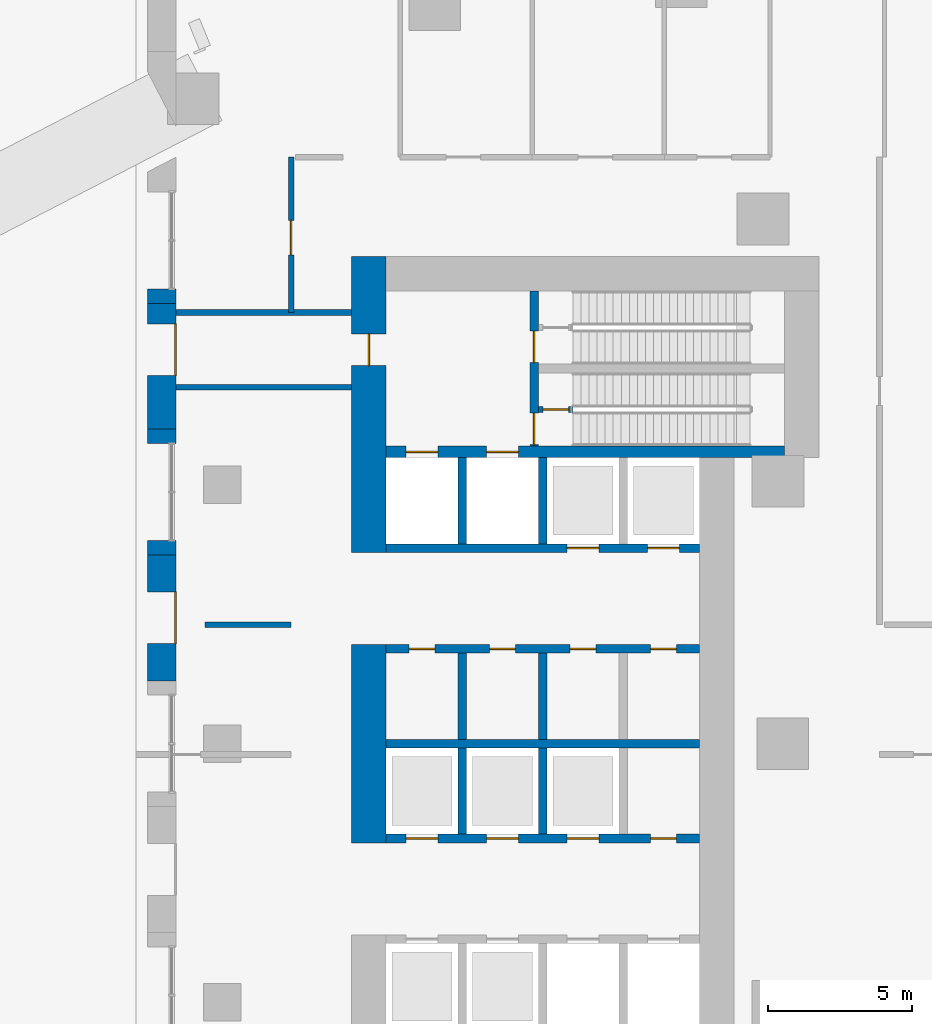
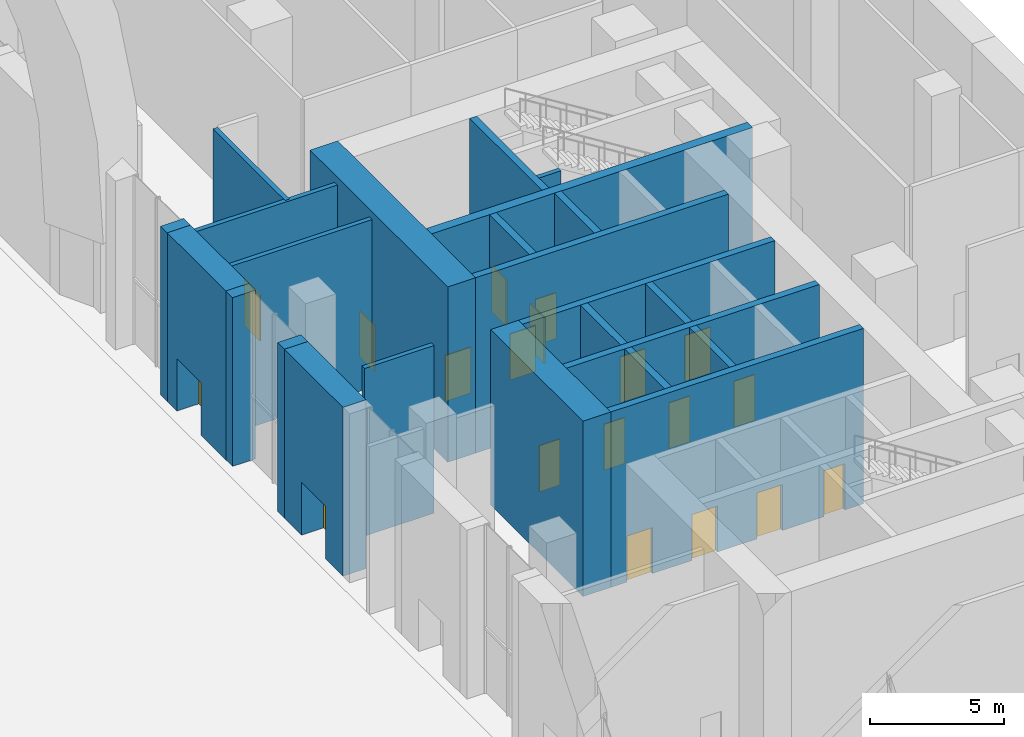
# One storey, part 11 of 22: 24 walls, 19 doors, 19 openings.
"""IFC4 building model written with IfcOpenShell, lengths in metres."""

from ifc_helpers import new_model, si_unit, direction, frame, frame_2d, origin, place, context, subcontext, project, spatial, polyline, rectangle, outline, extrude, material, layer, layer_set, type_object, element, fill, save


model = new_model("IFC4")

# Units and contexts
model_context = context("Model", 3, precision=1e-05, world=origin(), true_north=direction((0.0, 1.0)))
body_context = subcontext(model_context, "Body", "Model", "MODEL_VIEW")
ifc_project = project(units=[si_unit("LENGTHUNIT", "METRE"), si_unit("AREAUNIT", "SQUARE_METRE"), si_unit("VOLUMEUNIT", "CUBIC_METRE"), si_unit("PLANEANGLEUNIT", "RADIAN"), si_unit("MASSUNIT", "GRAM", prefix="KILO")], contexts=[model_context])

# Site, building, storey
site_placement = place(None, origin())
site = spatial("IfcSite", under=ifc_project, at=site_placement, CompositionType="ELEMENT")
building_placement = place(site_placement, origin())
building = spatial("IfcBuilding", under=site, at=building_placement, Name="Ostrand Prow Hotel Tower", CompositionType="ELEMENT")
storey_placement = place(building_placement, origin())
storey = spatial("IfcBuildingStorey", under=building, at=storey_placement, Name="L00", CompositionType="ELEMENT", Elevation=0.0)

# Wall, opening, door
ifc_material_1 = material(Name="Concrete C80/95", Category="concrete")
ifc_layer_1 = layer(ifc_material_1, 1.199951171875)
ifc_layer_set_1 = layer_set([ifc_layer_1], Name="Concrete C80/95")
wall_type_1 = type_object("IfcWallType", Name="Core wall 1200 C80/95", PredefinedType="SHEAR", material=ifc_layer_set_1)
wall_1_placement = place(storey_placement, frame((50.10009765625, 6.64990234375, 0.0), z_axis=(0.0, 0.0, 1.0), x_axis=(0.0, 1.0, 0.0)))
wall_1 = element("IfcWall", 1, at=wall_1_placement, inside=storey, type_object=wall_type_1, Name="Core wall CW-W-N", PredefinedType="SHEAR", context=body_context, shape_type="SweptSolid", body=[
    extrude(rectangle(XDim=10.300048828125, YDim=1.199951171875, at=frame_2d((5.14990234375, 0.0))), origin(), (0.0, 0.0, 1.0), 8.0),
])
opening_1_placement = place(wall_1_placement, frame((6.5, 0.0, 0.0)))
opening_1 = element("IfcOpeningElement", 2, at=opening_1_placement, cuts=wall_1, Name="Opening FD1", PredefinedType="OPENING", context=body_context, shape_type="SweptSolid", body=[
    extrude(rectangle(XDim=1.10009765625, YDim=2.10009765625, at=frame_2d((0.550048828125, 1.050048828125))), frame((0.0, 0.60986328125, 0.0), z_axis=(0.0, -1.0, 0.0), x_axis=(1.0, 0.0, 0.0)), (0.0, 0.0, 1.0), 1.219970703125),
])
ifc_material_2 = material(Name="Steel fire door", Category="steel")
door_type_1 = type_object("IfcDoorType", Name="Fire door 1100 EI120", OperationType="SINGLE_SWING_RIGHT", PredefinedType="DOOR", material=ifc_material_2)
door_1_placement = place(opening_1_placement, origin())
door_1 = element("IfcDoor", 3, at=door_1_placement, inside=storey, type_object=door_type_1, Name="FIRE DOOR", OperationType="SINGLE_SWING_RIGHT", OverallHeight=2.10009765625, OverallWidth=1.10009765625, PredefinedType="DOOR", context=body_context, shape_type="SweptSolid", body=[
    extrude(rectangle(XDim=1.10009765625, YDim=2.10009765625, at=frame_2d((0.550048828125, 1.050048828125))), frame((0.0, 0.02490234375, 0.0), z_axis=(0.0, -1.0, 0.0), x_axis=(1.0, 0.0, 0.0)), (0.0, 0.0, 1.0), 0.050048828125),
])
fill(opening_1, door_1)

# Walls
wall_2_placement = place(storey_placement, frame((50.10009765625, -3.449951171875, 0.0), z_axis=(0.0, 0.0, 1.0), x_axis=(0.0, 1.0, 0.0)))
element("IfcWall", 4, at=wall_2_placement, inside=storey, type_object=wall_type_1, Name="Core wall CW-W-C", PredefinedType="SHEAR", context=body_context, shape_type="SweptSolid", body=[
    extrude(rectangle(XDim=6.89990234375, YDim=1.199951171875, at=frame_2d((3.449951171875, 0.0))), origin(), (0.0, 0.0, 1.0), 8.0),
])
ifc_material_3 = material(Name="Concrete C80/95", Category="concrete")
ifc_layer_2 = layer(ifc_material_3, 0.300048828125)
ifc_layer_set_2 = layer_set([ifc_layer_2], Name="Concrete C80/95")
wall_type_2 = type_object("IfcWallType", Name="Core wall 300 C80/95", PredefinedType="SHEAR", material=ifc_layer_set_2)
wall_3_placement = place(storey_placement, frame((50.699951171875, 0.0, 0.0), z_axis=(0.0, 0.0, 1.0), x_axis=(1.0, 0.0, 0.0)))
element("IfcWall", 5, at=wall_3_placement, inside=storey, type_object=wall_type_2, Name="Core wall PW-C", PredefinedType="SHEAR", context=body_context, shape_type="SweptSolid", body=[
    extrude(rectangle(XDim=10.900146484375, YDim=0.300048828125, at=frame_2d((5.4501953125, 0.0))), origin(), (0.0, 0.0, 1.0), 8.0),
])

# Wall, openings, doors
wall_4_placement = place(storey_placement, frame((50.699951171875, 3.300048828125, 0.0), z_axis=(0.0, 0.0, 1.0), x_axis=(1.0, 0.0, 0.0)))
wall_4 = element("IfcWall", 6, at=wall_4_placement, inside=storey, type_object=wall_type_2, Name="Core wall PW-L1-N", PredefinedType="SHEAR", context=body_context, shape_type="SweptSolid", body=[
    extrude(rectangle(XDim=10.900146484375, YDim=0.300048828125, at=frame_2d((5.4501953125, 0.0))), origin(), (0.0, 0.0, 1.0), 8.0),
])
opening_2_placement = place(wall_4_placement, frame((0.800048828125, 0.0, 0.0)))
opening_2 = element("IfcOpeningElement", 7, at=opening_2_placement, cuts=wall_4, Name="Opening FD2", PredefinedType="OPENING", context=body_context, shape_type="SweptSolid", body=[
    extrude(rectangle(XDim=0.89990234375, YDim=2.10009765625, at=frame_2d((0.449951171875, 1.050048828125))), frame((0.0, 0.159912109375, 0.0), z_axis=(0.0, -1.0, 0.0), x_axis=(1.0, 0.0, 0.0)), (0.0, 0.0, 1.0), 0.320068359375),
])
opening_3_placement = place(wall_4_placement, frame((3.60009765625, 0.0, 0.0)))
opening_3 = element("IfcOpeningElement", 8, at=opening_3_placement, cuts=wall_4, Name="Opening FD2", PredefinedType="OPENING", context=body_context, shape_type="SweptSolid", body=[
    extrude(rectangle(XDim=0.89990234375, YDim=2.10009765625, at=frame_2d((0.449951171875, 1.050048828125))), frame((0.0, 0.159912109375, 0.0), z_axis=(0.0, -1.0, 0.0), x_axis=(1.0, 0.0, 0.0)), (0.0, 0.0, 1.0), 0.320068359375),
])
opening_4_placement = place(wall_4_placement, frame((6.39990234375, 0.0, 0.0)))
opening_4 = element("IfcOpeningElement", 9, at=opening_4_placement, cuts=wall_4, Name="Opening FD2", PredefinedType="OPENING", context=body_context, shape_type="SweptSolid", body=[
    extrude(rectangle(XDim=0.89990234375, YDim=2.10009765625, at=frame_2d((0.449951171875, 1.050048828125))), frame((0.0, 0.159912109375, 0.0), z_axis=(0.0, -1.0, 0.0), x_axis=(1.0, 0.0, 0.0)), (0.0, 0.0, 1.0), 0.320068359375),
])
opening_5_placement = place(wall_4_placement, frame((9.199951171875, 0.0, 0.0)))
opening_5 = element("IfcOpeningElement", 10, at=opening_5_placement, cuts=wall_4, Name="Opening FD2", PredefinedType="OPENING", context=body_context, shape_type="SweptSolid", body=[
    extrude(rectangle(XDim=0.89990234375, YDim=2.10009765625, at=frame_2d((0.449951171875, 1.050048828125))), frame((0.0, 0.159912109375, 0.0), z_axis=(0.0, -1.0, 0.0), x_axis=(1.0, 0.0, 0.0)), (0.0, 0.0, 1.0), 0.320068359375),
])
ifc_material_4 = material(Name="Steel fire door", Category="steel")
door_type_2 = type_object("IfcDoorType", Name="Fire door 900 EI120", OperationType="SINGLE_SWING_LEFT", PredefinedType="DOOR", material=ifc_material_4)
door_2_placement = place(opening_2_placement, origin())
door_2 = element("IfcDoor", 11, at=door_2_placement, inside=storey, type_object=door_type_2, Name="DOOR", OperationType="SINGLE_SWING_LEFT", OverallHeight=2.10009765625, OverallWidth=0.89990234375, PredefinedType="DOOR", context=body_context, shape_type="SweptSolid", body=[
    extrude(rectangle(XDim=0.89990234375, YDim=2.10009765625, at=frame_2d((0.449951171875, 1.050048828125))), frame((0.0, 0.02490234375, 0.0), z_axis=(0.0, -1.0, 0.0), x_axis=(1.0, 0.0, 0.0)), (0.0, 0.0, 1.0), 0.050048828125),
])
fill(opening_2, door_2)
door_3_placement = place(opening_3_placement, origin())
door_3 = element("IfcDoor", 12, at=door_3_placement, inside=storey, type_object=door_type_2, Name="DOOR", OperationType="SINGLE_SWING_LEFT", OverallHeight=2.10009765625, OverallWidth=0.89990234375, PredefinedType="DOOR", context=body_context, shape_type="SweptSolid", body=[
    extrude(rectangle(XDim=0.89990234375, YDim=2.10009765625, at=frame_2d((0.449951171875, 1.050048828125))), frame((0.0, 0.02490234375, 0.0), z_axis=(0.0, -1.0, 0.0), x_axis=(1.0, 0.0, 0.0)), (0.0, 0.0, 1.0), 0.050048828125),
])
fill(opening_3, door_3)
door_4_placement = place(opening_4_placement, origin())
door_4 = element("IfcDoor", 13, at=door_4_placement, inside=storey, type_object=door_type_2, Name="DOOR", OperationType="SINGLE_SWING_LEFT", OverallHeight=2.10009765625, OverallWidth=0.89990234375, PredefinedType="DOOR", context=body_context, shape_type="SweptSolid", body=[
    extrude(rectangle(XDim=0.89990234375, YDim=2.10009765625, at=frame_2d((0.449951171875, 1.050048828125))), frame((0.0, 0.02490234375, 0.0), z_axis=(0.0, -1.0, 0.0), x_axis=(1.0, 0.0, 0.0)), (0.0, 0.0, 1.0), 0.050048828125),
])
fill(opening_4, door_4)
door_5_placement = place(opening_5_placement, origin())
door_5 = element("IfcDoor", 14, at=door_5_placement, inside=storey, type_object=door_type_2, Name="DOOR", OperationType="SINGLE_SWING_LEFT", OverallHeight=2.10009765625, OverallWidth=0.89990234375, PredefinedType="DOOR", context=body_context, shape_type="SweptSolid", body=[
    extrude(rectangle(XDim=0.89990234375, YDim=2.10009765625, at=frame_2d((0.449951171875, 1.050048828125))), frame((0.0, 0.02490234375, 0.0), z_axis=(0.0, -1.0, 0.0), x_axis=(1.0, 0.0, 0.0)), (0.0, 0.0, 1.0), 0.050048828125),
])
fill(opening_5, door_5)

wall_5_placement = place(storey_placement, frame((50.699951171875, 6.800048828125, 0.0), z_axis=(0.0, 0.0, 1.0), x_axis=(1.0, 0.0, 0.0)))
wall_5 = element("IfcWall", 15, at=wall_5_placement, inside=storey, type_object=wall_type_2, Name="Core wall PW-L2-N", PredefinedType="SHEAR", context=body_context, shape_type="SweptSolid", body=[
    extrude(rectangle(XDim=10.900146484375, YDim=0.300048828125, at=frame_2d((5.4501953125, 0.0))), origin(), (0.0, 0.0, 1.0), 8.0),
])
opening_6_placement = place(wall_5_placement, frame((6.300048828125, 0.0, 0.0)))
opening_6 = element("IfcOpeningElement", 16, at=opening_6_placement, cuts=wall_5, Name="Opening LD", PredefinedType="OPENING", context=body_context, shape_type="SweptSolid", body=[
    extrude(rectangle(XDim=1.10009765625, YDim=2.10009765625, at=frame_2d((0.550048828125, 1.050048828125))), frame((0.0, 0.159912109375, 0.0), z_axis=(0.0, -1.0, 0.0), x_axis=(1.0, 0.0, 0.0)), (0.0, 0.0, 1.0), 0.320068359375),
])
opening_7_placement = place(wall_5_placement, frame((9.10009765625, 0.0, 0.0)))
opening_7 = element("IfcOpeningElement", 17, at=opening_7_placement, cuts=wall_5, Name="Opening LD", PredefinedType="OPENING", context=body_context, shape_type="SweptSolid", body=[
    extrude(rectangle(XDim=1.10009765625, YDim=2.10009765625, at=frame_2d((0.550048828125, 1.050048828125))), frame((0.0, 0.159912109375, 0.0), z_axis=(0.0, -1.0, 0.0), x_axis=(1.0, 0.0, 0.0)), (0.0, 0.0, 1.0), 0.320068359375),
])
ifc_material_5 = material(Name="Stainless steel door", Category="steel")
door_type_3 = type_object("IfcDoorType", Name="Lift landing door 1100", OperationType="DOUBLE_DOOR_SLIDING", PredefinedType="DOOR", material=ifc_material_5)
door_6_placement = place(opening_6_placement, origin())
door_6 = element("IfcDoor", 18, at=door_6_placement, inside=storey, type_object=door_type_3, Name="LIFT LANDING DOOR", OperationType="DOUBLE_DOOR_SLIDING", OverallHeight=2.10009765625, OverallWidth=1.10009765625, PredefinedType="DOOR", context=body_context, shape_type="SweptSolid", body=[
    extrude(rectangle(XDim=1.10009765625, YDim=2.10009765625, at=frame_2d((0.550048828125, 1.050048828125))), frame((0.0, 0.02490234375, 0.0), z_axis=(0.0, -1.0, 0.0), x_axis=(1.0, 0.0, 0.0)), (0.0, 0.0, 1.0), 0.050048828125),
])
fill(opening_6, door_6)
door_7_placement = place(opening_7_placement, origin())
door_7 = element("IfcDoor", 19, at=door_7_placement, inside=storey, type_object=door_type_3, Name="LIFT LANDING DOOR", OperationType="DOUBLE_DOOR_SLIDING", OverallHeight=2.10009765625, OverallWidth=1.10009765625, PredefinedType="DOOR", context=body_context, shape_type="SweptSolid", body=[
    extrude(rectangle(XDim=1.10009765625, YDim=2.10009765625, at=frame_2d((0.550048828125, 1.050048828125))), frame((0.0, 0.02490234375, 0.0), z_axis=(0.0, -1.0, 0.0), x_axis=(1.0, 0.0, 0.0)), (0.0, 0.0, 1.0), 0.050048828125),
])
fill(opening_7, door_7)

# Walls
for number, where, z_axis, x_axis, name in (
    (20, (53.35009765625, 0.14990234375, 0.0), (0.0, 0.0, 1.0), (0.0, 1.0, 0.0), "Core wall PW-R1-NB"),
    (21, (53.35009765625, 6.949951171875, 0.0), (0.0, 0.0, 1.0), (0.0, 1.0, 0.0), "Core wall PW-R1-NA"),
    (22, (56.14990234375, 0.14990234375, 0.0), (0.0, 0.0, 1.0), (0.0, 1.0, 0.0), "Core wall PW-R2-NB"),
    (23, (56.14990234375, 6.949951171875, 0.0), (0.0, 0.0, 1.0), (0.0, 1.0, 0.0), "Core wall PW-R2-NA"),
):
    element("IfcWall", number, at=place(storey_placement, frame(where, z_axis=z_axis, x_axis=x_axis)), inside=storey, type_object=wall_type_2, Name=name, PredefinedType="SHEAR", context=body_context, shape_type="SweptSolid", body=[
        extrude(rectangle(XDim=3.0, YDim=0.300048828125, at=frame_2d((1.5, 0.0))), origin(), (0.0, 0.0, 1.0), 8.0),
    ])

# Wall, openings, doors
wall_6_placement = place(storey_placement, frame((50.699951171875, -3.300048828125, 0.0), z_axis=(0.0, 0.0, 1.0), x_axis=(1.0, 0.0, 0.0)))
wall_6 = element("IfcWall", 24, at=wall_6_placement, inside=storey, type_object=wall_type_2, Name="Core wall PW-L1-S", PredefinedType="SHEAR", context=body_context, shape_type="SweptSolid", body=[
    extrude(rectangle(XDim=10.900146484375, YDim=0.300048828125, at=frame_2d((5.4501953125, 0.0))), origin(), (0.0, 0.0, 1.0), 8.0),
])
opening_8_placement = place(wall_6_placement, frame((0.699951171875, 0.0, 0.0)))
opening_8 = element("IfcOpeningElement", 25, at=opening_8_placement, cuts=wall_6, Name="Opening LD", PredefinedType="OPENING", context=body_context, shape_type="SweptSolid", body=[
    extrude(rectangle(XDim=1.10009765625, YDim=2.10009765625, at=frame_2d((0.550048828125, 1.050048828125))), frame((0.0, 0.159912109375, 0.0), z_axis=(0.0, -1.0, 0.0), x_axis=(1.0, 0.0, 0.0)), (0.0, 0.0, 1.0), 0.320068359375),
])
opening_9_placement = place(wall_6_placement, frame((3.5, 0.0, 0.0)))
opening_9 = element("IfcOpeningElement", 26, at=opening_9_placement, cuts=wall_6, Name="Opening LD", PredefinedType="OPENING", context=body_context, shape_type="SweptSolid", body=[
    extrude(rectangle(XDim=1.10009765625, YDim=2.10009765625, at=frame_2d((0.550048828125, 1.050048828125))), frame((0.0, 0.159912109375, 0.0), z_axis=(0.0, -1.0, 0.0), x_axis=(1.0, 0.0, 0.0)), (0.0, 0.0, 1.0), 0.320068359375),
])
opening_10_placement = place(wall_6_placement, frame((6.300048828125, 0.0, 0.0)))
opening_10 = element("IfcOpeningElement", 27, at=opening_10_placement, cuts=wall_6, Name="Opening LD", PredefinedType="OPENING", context=body_context, shape_type="SweptSolid", body=[
    extrude(rectangle(XDim=1.10009765625, YDim=2.10009765625, at=frame_2d((0.550048828125, 1.050048828125))), frame((0.0, 0.159912109375, 0.0), z_axis=(0.0, -1.0, 0.0), x_axis=(1.0, 0.0, 0.0)), (0.0, 0.0, 1.0), 0.320068359375),
])
opening_11_placement = place(wall_6_placement, frame((9.199951171875, 0.0, 0.0)))
opening_11 = element("IfcOpeningElement", 28, at=opening_11_placement, cuts=wall_6, Name="Opening FD2", PredefinedType="OPENING", context=body_context, shape_type="SweptSolid", body=[
    extrude(rectangle(XDim=0.89990234375, YDim=2.10009765625, at=frame_2d((0.449951171875, 1.050048828125))), frame((0.0, 0.159912109375, 0.0), z_axis=(0.0, -1.0, 0.0), x_axis=(1.0, 0.0, 0.0)), (0.0, 0.0, 1.0), 0.320068359375),
])
door_8_placement = place(opening_11_placement, origin())
door_8 = element("IfcDoor", 29, at=door_8_placement, inside=storey, type_object=door_type_2, Name="DOOR", OperationType="SINGLE_SWING_LEFT", OverallHeight=2.10009765625, OverallWidth=0.89990234375, PredefinedType="DOOR", context=body_context, shape_type="SweptSolid", body=[
    extrude(rectangle(XDim=0.89990234375, YDim=2.10009765625, at=frame_2d((0.449951171875, 1.050048828125))), frame((0.0, 0.02490234375, 0.0), z_axis=(0.0, -1.0, 0.0), x_axis=(1.0, 0.0, 0.0)), (0.0, 0.0, 1.0), 0.050048828125),
])
fill(opening_11, door_8)
door_9_placement = place(opening_8_placement, origin())
door_9 = element("IfcDoor", 30, at=door_9_placement, inside=storey, type_object=door_type_3, Name="LIFT LANDING DOOR", OperationType="DOUBLE_DOOR_SLIDING", OverallHeight=2.10009765625, OverallWidth=1.10009765625, PredefinedType="DOOR", context=body_context, shape_type="SweptSolid", body=[
    extrude(rectangle(XDim=1.10009765625, YDim=2.10009765625, at=frame_2d((0.550048828125, 1.050048828125))), frame((0.0, 0.02490234375, 0.0), z_axis=(0.0, -1.0, 0.0), x_axis=(1.0, 0.0, 0.0)), (0.0, 0.0, 1.0), 0.050048828125),
])
fill(opening_8, door_9)
door_10_placement = place(opening_9_placement, origin())
door_10 = element("IfcDoor", 31, at=door_10_placement, inside=storey, type_object=door_type_3, Name="LIFT LANDING DOOR", OperationType="DOUBLE_DOOR_SLIDING", OverallHeight=2.10009765625, OverallWidth=1.10009765625, PredefinedType="DOOR", context=body_context, shape_type="SweptSolid", body=[
    extrude(rectangle(XDim=1.10009765625, YDim=2.10009765625, at=frame_2d((0.550048828125, 1.050048828125))), frame((0.0, 0.02490234375, 0.0), z_axis=(0.0, -1.0, 0.0), x_axis=(1.0, 0.0, 0.0)), (0.0, 0.0, 1.0), 0.050048828125),
])
fill(opening_9, door_10)
door_11_placement = place(opening_10_placement, origin())
door_11 = element("IfcDoor", 32, at=door_11_placement, inside=storey, type_object=door_type_3, Name="LIFT LANDING DOOR", OperationType="DOUBLE_DOOR_SLIDING", OverallHeight=2.10009765625, OverallWidth=1.10009765625, PredefinedType="DOOR", context=body_context, shape_type="SweptSolid", body=[
    extrude(rectangle(XDim=1.10009765625, YDim=2.10009765625, at=frame_2d((0.550048828125, 1.050048828125))), frame((0.0, 0.02490234375, 0.0), z_axis=(0.0, -1.0, 0.0), x_axis=(1.0, 0.0, 0.0)), (0.0, 0.0, 1.0), 0.050048828125),
])
fill(opening_10, door_11)

# Walls
for number, where, z_axis, x_axis, name in (
    (33, (53.35009765625, -3.14990234375, 0.0), (0.0, 0.0, 1.0), (0.0, 1.0, 0.0), "Core wall PW-R1-SB"),
    (34, (56.14990234375, -3.14990234375, 0.0), (0.0, 0.0, 1.0), (0.0, 1.0, 0.0), "Core wall PW-R2-SB"),
):
    element("IfcWall", number, at=place(storey_placement, frame(where, z_axis=z_axis, x_axis=x_axis)), inside=storey, type_object=wall_type_2, Name=name, PredefinedType="SHEAR", context=body_context, shape_type="SweptSolid", body=[
        extrude(rectangle(XDim=3.0, YDim=0.300048828125, at=frame_2d((1.5, 0.0))), origin(), (0.0, 0.0, 1.0), 8.0),
    ])

# Wall, openings, doors
wall_7_placement = place(storey_placement, frame((55.85009765625, 10.35009765625, 0.0), z_axis=(0.0, 0.0, 1.0), x_axis=(0.0, 1.0, 0.0)))
wall_7 = element("IfcWall", 35, at=wall_7_placement, inside=storey, type_object=wall_type_2, Name="Core wall PW-VN", PredefinedType="SHEAR", context=body_context, shape_type="SweptSolid", body=[
    extrude(rectangle(XDim=5.39990234375, YDim=0.300048828125, at=frame_2d((2.699951171875, 0.0))), origin(), (0.0, 0.0, 1.0), 8.0),
])
opening_12_placement = place(wall_7_placement, frame((0.050048828125, 0.0, 0.0)))
opening_12 = element("IfcOpeningElement", 36, at=opening_12_placement, cuts=wall_7, Name="Opening FD1L", PredefinedType="OPENING", context=body_context, shape_type="SweptSolid", body=[
    extrude(rectangle(XDim=1.10009765625, YDim=2.10009765625, at=frame_2d((0.550048828125, 1.050048828125))), frame((0.0, 0.159912109375, 0.0), z_axis=(0.0, -1.0, 0.0), x_axis=(1.0, 0.0, 0.0)), (0.0, 0.0, 1.0), 0.320068359375),
])
opening_13_placement = place(wall_7_placement, frame((2.89990234375, 0.0, 0.0)))
opening_13 = element("IfcOpeningElement", 37, at=opening_13_placement, cuts=wall_7, Name="Opening FD1", PredefinedType="OPENING", context=body_context, shape_type="SweptSolid", body=[
    extrude(rectangle(XDim=1.10009765625, YDim=2.10009765625, at=frame_2d((0.550048828125, 1.050048828125))), frame((0.0, 0.159912109375, 0.0), z_axis=(0.0, -1.0, 0.0), x_axis=(1.0, 0.0, 0.0)), (0.0, 0.0, 1.0), 0.320068359375),
])
door_12_placement = place(opening_13_placement, origin())
door_12 = element("IfcDoor", 38, at=door_12_placement, inside=storey, type_object=door_type_1, Name="FIRE DOOR", OperationType="SINGLE_SWING_RIGHT", OverallHeight=2.10009765625, OverallWidth=1.10009765625, PredefinedType="DOOR", context=body_context, shape_type="SweptSolid", body=[
    extrude(rectangle(XDim=1.10009765625, YDim=2.10009765625, at=frame_2d((0.550048828125, 1.050048828125))), frame((0.0, 0.02490234375, 0.0), z_axis=(0.0, -1.0, 0.0), x_axis=(1.0, 0.0, 0.0)), (0.0, 0.0, 1.0), 0.050048828125),
])
fill(opening_13, door_12)
ifc_material_6 = material(Name="Steel fire door", Category="steel")
door_type_4 = type_object("IfcDoorType", Name="Fire door 1100 EI120 left hand", OperationType="SINGLE_SWING_LEFT", PredefinedType="DOOR", material=ifc_material_6)
door_13_placement = place(opening_12_placement, origin())
door_13 = element("IfcDoor", 39, at=door_13_placement, inside=storey, type_object=door_type_4, Name="FIRE DOOR", OperationType="SINGLE_SWING_LEFT", OverallHeight=2.10009765625, OverallWidth=1.10009765625, PredefinedType="DOOR", context=body_context, shape_type="SweptSolid", body=[
    extrude(rectangle(XDim=1.10009765625, YDim=2.10009765625, at=frame_2d((0.550048828125, 1.050048828125))), frame((0.0, 0.02490234375, 0.0), z_axis=(0.0, -1.0, 0.0), x_axis=(1.0, 0.0, 0.0)), (0.0, 0.0, 1.0), 0.050048828125),
])
fill(opening_12, door_13)

ifc_material_7 = material(Name="Concrete C80/95", Category="concrete")
ifc_layer_3 = layer(ifc_material_7, 0.39990234375)
ifc_layer_set_3 = layer_set([ifc_layer_3], Name="Concrete C80/95")
wall_type_3 = type_object("IfcWallType", Name="Core wall 400 C80/95", PredefinedType="SHEAR", material=ifc_layer_set_3)
wall_8_placement = place(storey_placement, frame((50.699951171875, 10.14990234375, 0.0), z_axis=(0.0, 0.0, 1.0), x_axis=(1.0, 0.0, 0.0)))
wall_8 = element("IfcWall", 40, at=wall_8_placement, inside=storey, type_object=wall_type_3, Name="Core wall PW-BN", PredefinedType="SHEAR", context=body_context, shape_type="SweptSolid", body=[
    extrude(rectangle(XDim=13.860107421875, YDim=0.39990234375, at=frame_2d((6.93017578125, 0.0))), origin(), (0.0, 0.0, 1.0), 8.0),
])
opening_14_placement = place(wall_8_placement, frame((0.699951171875, 0.0, 0.0)))
opening_14 = element("IfcOpeningElement", 41, at=opening_14_placement, cuts=wall_8, Name="Opening LD", PredefinedType="OPENING", context=body_context, shape_type="SweptSolid", body=[
    extrude(rectangle(XDim=1.10009765625, YDim=2.10009765625, at=frame_2d((0.550048828125, 1.050048828125))), frame((0.0, 0.2099609375, 0.0), z_axis=(0.0, -1.0, 0.0), x_axis=(1.0, 0.0, 0.0)), (0.0, 0.0, 1.0), 0.419921875),
])
opening_15_placement = place(wall_8_placement, frame((3.5, 0.0, 0.0)))
opening_15 = element("IfcOpeningElement", 42, at=opening_15_placement, cuts=wall_8, Name="Opening LD", PredefinedType="OPENING", context=body_context, shape_type="SweptSolid", body=[
    extrude(rectangle(XDim=1.10009765625, YDim=2.10009765625, at=frame_2d((0.550048828125, 1.050048828125))), frame((0.0, 0.2099609375, 0.0), z_axis=(0.0, -1.0, 0.0), x_axis=(1.0, 0.0, 0.0)), (0.0, 0.0, 1.0), 0.419921875),
])
door_14_placement = place(opening_14_placement, origin())
door_14 = element("IfcDoor", 43, at=door_14_placement, inside=storey, type_object=door_type_3, Name="LIFT LANDING DOOR", OperationType="DOUBLE_DOOR_SLIDING", OverallHeight=2.10009765625, OverallWidth=1.10009765625, PredefinedType="DOOR", context=body_context, shape_type="SweptSolid", body=[
    extrude(rectangle(XDim=1.10009765625, YDim=2.10009765625, at=frame_2d((0.550048828125, 1.050048828125))), frame((0.0, 0.02490234375, 0.0), z_axis=(0.0, -1.0, 0.0), x_axis=(1.0, 0.0, 0.0)), (0.0, 0.0, 1.0), 0.050048828125),
])
fill(opening_14, door_14)
door_15_placement = place(opening_15_placement, origin())
door_15 = element("IfcDoor", 44, at=door_15_placement, inside=storey, type_object=door_type_3, Name="LIFT LANDING DOOR", OperationType="DOUBLE_DOOR_SLIDING", OverallHeight=2.10009765625, OverallWidth=1.10009765625, PredefinedType="DOOR", context=body_context, shape_type="SweptSolid", body=[
    extrude(rectangle(XDim=1.10009765625, YDim=2.10009765625, at=frame_2d((0.550048828125, 1.050048828125))), frame((0.0, 0.02490234375, 0.0), z_axis=(0.0, -1.0, 0.0), x_axis=(1.0, 0.0, 0.0)), (0.0, 0.0, 1.0), 0.050048828125),
])
fill(opening_15, door_15)

# Wall
ifc_material_8 = material(Name="Plasterboard partition")
ifc_layer_4 = layer(ifc_material_8, 0.199951171875)
ifc_layer_set_4 = layer_set([ifc_layer_4], Name="Plasterboard partition")
wall_type_4 = type_object("IfcWallType", Name="Partition 200 corridor wall", PredefinedType="PARTITIONING", material=ifc_layer_set_4)
wall_9_placement = place(storey_placement, frame((44.39990234375, 4.138671875, 0.0), z_axis=(0.0, 0.0, 1.0), x_axis=(1.0, 0.0, 0.0)))
element("IfcWall", 45, at=wall_9_placement, inside=storey, type_object=wall_type_4, Name="CORRIDOR WALL", PredefinedType="PARTITIONING", context=body_context, shape_type="SweptSolid", body=[
    extrude(rectangle(XDim=3.0009765625, YDim=0.199951171875, at=frame_2d((1.50048828125, 0.0))), origin(), (0.0, 0.0, 1.0), 7.64990234375),
])

# Wall, opening, door
wall_10_placement = place(storey_placement, frame((47.39990234375, 20.39990234375, 0.0), z_axis=(0.0, 0.0, 1.0), x_axis=(0.0, -1.0, 0.0)))
wall_10 = element("IfcWall", 46, at=wall_10_placement, inside=storey, type_object=wall_type_4, Name="CORRIDOR WALL", PredefinedType="PARTITIONING", context=body_context, shape_type="SweptSolid", body=[
    extrude(rectangle(XDim=5.39990234375, YDim=0.199951171875, at=frame_2d((2.699951171875, 0.0))), origin(), (0.0, 0.0, 1.0), 7.64990234375),
])
opening_16_placement = place(wall_10_placement, frame((2.199951171875, 0.0, 0.0)))
opening_16 = element("IfcOpeningElement", 47, at=opening_16_placement, cuts=wall_10, Name="Opening D12", PredefinedType="OPENING", context=body_context, shape_type="SweptSolid", body=[
    extrude(rectangle(XDim=1.199951171875, YDim=2.10009765625, at=frame_2d((0.60009765625, 1.050048828125))), frame((0.0, 0.10986328125, 0.0), z_axis=(0.0, -1.0, 0.0), x_axis=(1.0, 0.0, 0.0)), (0.0, 0.0, 1.0), 0.219970703125),
])
ifc_material_9 = material(Name="Steel service door", Category="steel")
door_type_5 = type_object("IfcDoorType", Name="Service door 1200", OperationType="SINGLE_SWING_RIGHT", PredefinedType="DOOR", material=ifc_material_9)
door_16_placement = place(opening_16_placement, origin())
door_16 = element("IfcDoor", 48, at=door_16_placement, inside=storey, type_object=door_type_5, Name="DOOR", OperationType="SINGLE_SWING_RIGHT", OverallHeight=2.10009765625, OverallWidth=1.199951171875, PredefinedType="DOOR", context=body_context, shape_type="SweptSolid", body=[
    extrude(rectangle(XDim=1.199951171875, YDim=2.10009765625, at=frame_2d((0.60009765625, 1.050048828125))), frame((0.0, 0.02490234375, 0.0), z_axis=(0.0, -1.0, 0.0), x_axis=(1.0, 0.0, 0.0)), (0.0, 0.0, 1.0), 0.050048828125),
])
fill(opening_16, door_16)

# Walls
ifc_material_10 = material(Name="Plasterboard partition")
ifc_layer_5 = layer(ifc_material_10, 0.199951171875)
ifc_layer_set_5 = layer_set([ifc_layer_5], Name="Plasterboard partition")
wall_type_5 = type_object("IfcWallType", Name="Partition 200 exit passage wall", PredefinedType="PARTITIONING", material=ifc_layer_set_5)
for number, where, z_axis, x_axis, name in (
    (49, (43.39990234375, 12.39990234375, 0.0), (0.0, 0.0, 1.0), (1.0, 0.0, 0.0), "EXIT PASSAGE WALL"),
    (50, (43.39990234375, 15.0, 0.0), (0.0, 0.0, 1.0), (1.0, 0.0, 0.0), "EXIT PASSAGE WALL"),
):
    element("IfcWall", number, at=place(storey_placement, frame(where, z_axis=z_axis, x_axis=x_axis)), inside=storey, type_object=wall_type_5, Name=name, PredefinedType="PARTITIONING", context=body_context, shape_type="SweptSolid", body=[
        extrude(rectangle(XDim=6.10009765625, YDim=0.199951171875, at=frame_2d((3.050048828125, 0.0))), origin(), (0.0, 0.0, 1.0), 7.64990234375),
    ])

# Wall, opening, door
ifc_material_11 = material(Name="Plasterboard partition")
ifc_layer_6 = layer(ifc_material_11, 0.199951171875)
ifc_layer_set_6 = layer_set([ifc_layer_6], Name="Plasterboard partition")
wall_type_6 = type_object("IfcWallType", Name="Partition 200 stair barrier wall", PredefinedType="PARTITIONING", material=ifc_layer_set_6)
wall_11_placement = place(storey_placement, frame((56.0, 11.625, 0.0), z_axis=(0.0, 0.0, 1.0), x_axis=(1.0, 0.0, 0.0)))
wall_11 = element("IfcWall", 51, at=wall_11_placement, inside=storey, type_object=wall_type_6, Name="STAIR BARRIER WALL", PredefinedType="PARTITIONING", context=body_context, shape_type="SweptSolid", body=[
    extrude(rectangle(XDim=1.199951171875, YDim=0.199951171875, at=frame_2d((0.60009765625, 0.0))), origin(), (0.0, 0.0, 1.0), 7.64990234375),
])
opening_17_placement = place(wall_11_placement, frame((0.14990234375, 0.0, 0.0)))
opening_17 = element("IfcOpeningElement", 52, at=opening_17_placement, cuts=wall_11, Name="Opening FD3", PredefinedType="OPENING", context=body_context, shape_type="SweptSolid", body=[
    extrude(rectangle(XDim=0.89990234375, YDim=2.10009765625, at=frame_2d((0.449951171875, 1.050048828125))), frame((0.0, 0.10986328125, 0.0), z_axis=(0.0, -1.0, 0.0), x_axis=(1.0, 0.0, 0.0)), (0.0, 0.0, 1.0), 0.219970703125),
])
ifc_material_12 = material(Name="Steel fire door", Category="steel")
door_type_6 = type_object("IfcDoorType", Name="Basement stair door 900 EI120", OperationType="SINGLE_SWING_LEFT", PredefinedType="DOOR", material=ifc_material_12)
door_17_placement = place(opening_17_placement, origin())
door_17 = element("IfcDoor", 53, at=door_17_placement, inside=storey, type_object=door_type_6, Name="STAIR BARRIER DOOR", OperationType="SINGLE_SWING_LEFT", OverallHeight=2.10009765625, OverallWidth=0.89990234375, PredefinedType="DOOR", context=body_context, shape_type="SweptSolid", body=[
    extrude(rectangle(XDim=0.89990234375, YDim=2.10009765625, at=frame_2d((0.449951171875, 1.050048828125))), frame((0.0, 0.02490234375, 0.0), z_axis=(0.0, -1.0, 0.0), x_axis=(1.0, 0.0, 0.0)), (0.0, 0.0, 1.0), 0.050048828125),
])
fill(opening_17, door_17)

# Wall
ifc_material_13 = material(Name="Precast concrete C40/50", Category="concrete")
ifc_layer_7 = layer(ifc_material_13, 1.0)
ifc_layer_set_7 = layer_set([ifc_layer_7], Name="Precast concrete C40/50")
wall_type_7 = type_object("IfcWallType", Name="Portal pier wall 1000 mm", PredefinedType="NOTDEFINED", material=ifc_layer_set_7)
wall_12_placement = place(storey_placement, frame((42.89990234375, 15.81640625, 0.0), z_axis=(0.0, 0.0, 1.0), x_axis=(0.0, -1.0, 0.0)))
element("IfcWall", 54, at=wall_12_placement, inside=storey, type_object=wall_type_7, Name="Portal pier wall L00-PP136E", PredefinedType="NOTDEFINED", context=body_context, shape_type="SweptSolid", body=[
    extrude(outline(polyline([(0.0, -0.5), (0.5, -0.5), (0.5, 0.5), (0.0, 0.5), (0.0, -0.5)])), origin(), (0.0, 0.0, 1.0), 7.699951171875),
])

# Wall, opening, door
wall_13_placement = place(storey_placement, frame((42.89990234375, 15.31640625, 0.0), z_axis=(0.0, 0.0, 1.0), x_axis=(0.0, -1.0, 0.0)))
wall_13 = element("IfcWall", 55, at=wall_13_placement, inside=storey, type_object=wall_type_7, Name="Portal pier wall L00-PP137", PredefinedType="NOTDEFINED", context=body_context, shape_type="SweptSolid", body=[
    extrude(outline(polyline([(0.0, -0.5), (4.376220703125, -0.5), (4.376220703125, 0.5), (0.0, 0.5), (0.0, -0.5)])), origin(), (0.0, 0.0, 1.0), 7.699951171875),
])
opening_18_placement = place(wall_13_placement, frame((0.716552734375, 0.0, 0.0)))
opening_18 = element("IfcOpeningElement", 56, at=opening_18_placement, cuts=wall_13, Name="Opening E11", PredefinedType="OPENING", context=body_context, shape_type="SweptSolid", body=[
    extrude(rectangle(XDim=1.800048828125, YDim=2.39990234375, at=frame_2d((0.89990234375, 1.199951171875))), frame((0.0, 0.510009765625, 0.0), z_axis=(0.0, -1.0, 0.0), x_axis=(1.0, 0.0, 0.0)), (0.0, 0.0, 1.0), 1.02001953125),
])
ifc_material_14 = material(Name="Bronze anodised aluminium and glass", Category="aluminium")
door_type_7 = type_object("IfcDoorType", Name="Entrance double door 1800x2400", OperationType="DOUBLE_DOOR_SINGLE_SWING", PredefinedType="DOOR", material=ifc_material_14)
door_18_placement = place(opening_18_placement, origin())
door_18 = element("IfcDoor", 57, at=door_18_placement, inside=storey, type_object=door_type_7, Name="Entrance door E11 DE1", OperationType="DOUBLE_DOOR_SINGLE_SWING", OverallHeight=2.39990234375, OverallWidth=1.800048828125, PredefinedType="DOOR", context=body_context, shape_type="SweptSolid", body=[
    extrude(rectangle(XDim=1.800048828125, YDim=2.39990234375, at=frame_2d((0.89990234375, 1.199951171875))), frame((0.0, 0.4951171875, 0.0), z_axis=(0.0, -1.0, 0.0), x_axis=(1.0, 0.0, 0.0)), (0.0, 0.0, 1.0), 0.050048828125),
])
fill(opening_18, door_18)

# Walls
for number, where, z_axis, x_axis, name in (
    (58, (42.89990234375, 10.940185546875, 0.0), (0.0, 0.0, 1.0), (0.0, -1.0, 0.0), "Portal pier wall L00-PP138"),
    (59, (42.89990234375, 7.064208984375, 0.0), (0.0, 0.0, 1.0), (0.0, -1.0, 0.0), "Portal pier wall L00-PP138E"),
):
    element("IfcWall", number, at=place(storey_placement, frame(where, z_axis=z_axis, x_axis=x_axis)), inside=storey, type_object=wall_type_7, Name=name, PredefinedType="NOTDEFINED", context=body_context, shape_type="SweptSolid", body=[
        extrude(outline(polyline([(0.0, -0.5), (0.5, -0.5), (0.5, 0.5), (0.0, 0.5), (0.0, -0.5)])), origin(), (0.0, 0.0, 1.0), 7.699951171875),
    ])

# Wall, opening, door
wall_14_placement = place(storey_placement, frame((42.89990234375, 6.564208984375, 0.0), z_axis=(0.0, 0.0, 1.0), x_axis=(0.0, -1.0, 0.0)))
wall_14 = element("IfcWall", 60, at=wall_14_placement, inside=storey, type_object=wall_type_7, Name="Portal pier wall L00-PP139", PredefinedType="NOTDEFINED", context=body_context, shape_type="SweptSolid", body=[
    extrude(outline(polyline([(0.0, -0.5), (4.376220703125, -0.5), (4.376220703125, 0.5), (0.0, 0.5), (0.0, -0.5)])), origin(), (0.0, 0.0, 1.0), 7.699951171875),
])
opening_19_placement = place(wall_14_placement, frame((1.2880859375, 0.0, 0.0)))
opening_19 = element("IfcOpeningElement", 61, at=opening_19_placement, cuts=wall_14, Name="Opening E12", PredefinedType="OPENING", context=body_context, shape_type="SweptSolid", body=[
    extrude(rectangle(XDim=1.800048828125, YDim=2.39990234375, at=frame_2d((0.89990234375, 1.199951171875))), frame((0.0, 0.510009765625, 0.0), z_axis=(0.0, -1.0, 0.0), x_axis=(1.0, 0.0, 0.0)), (0.0, 0.0, 1.0), 1.02001953125),
])
door_19_placement = place(opening_19_placement, origin())
door_19 = element("IfcDoor", 62, at=door_19_placement, inside=storey, type_object=door_type_7, Name="Entrance door E12 DE1", OperationType="DOUBLE_DOOR_SINGLE_SWING", OverallHeight=2.39990234375, OverallWidth=1.800048828125, PredefinedType="DOOR", context=body_context, shape_type="SweptSolid", body=[
    extrude(rectangle(XDim=1.800048828125, YDim=2.39990234375, at=frame_2d((0.89990234375, 1.199951171875))), frame((0.0, 0.4951171875, 0.0), z_axis=(0.0, -1.0, 0.0), x_axis=(1.0, 0.0, 0.0)), (0.0, 0.0, 1.0), 0.050048828125),
])
fill(opening_19, door_19)

save(model, "model.ifc")
